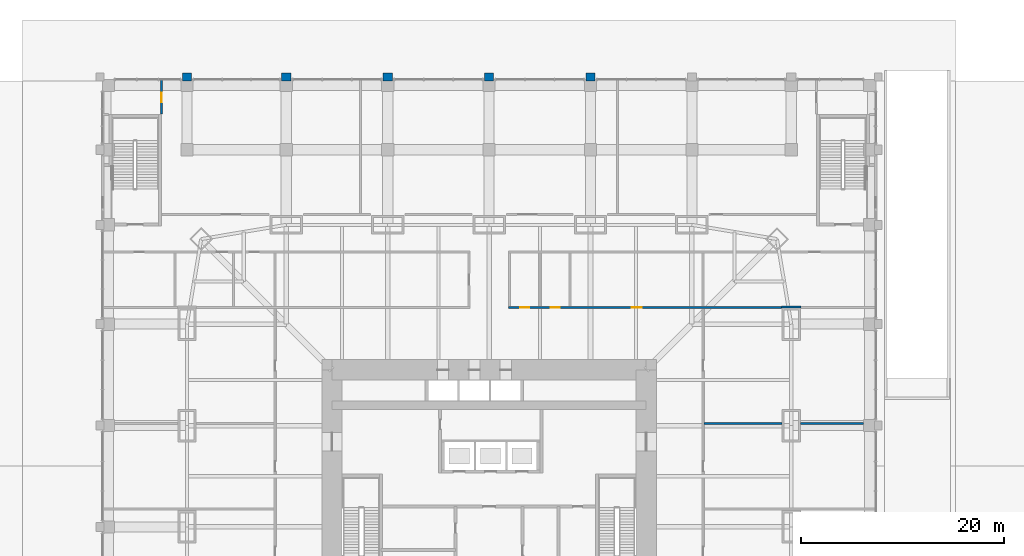
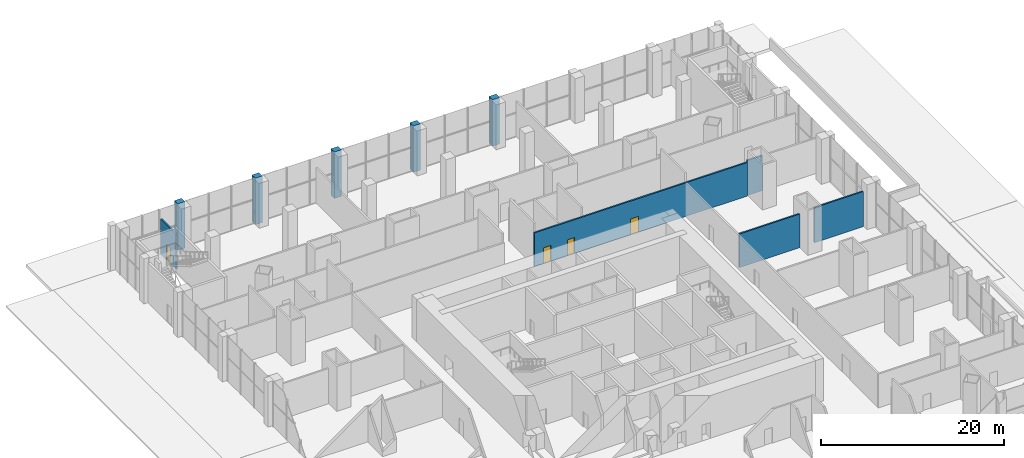
# One storey, part 26 of 31: 10 walls, 4 doors, 4 openings.
"""IFC4 building model written with IfcOpenShell, lengths in metres."""

from ifc_helpers import new_model, si_unit, direction, frame, frame_2d, origin, place, context, subcontext, project, spatial, rectangle, extrude, material, layer, layer_set, type_object, element, fill, save


model = new_model("IFC4")

# Units and contexts
model_context = context("Model", 3, precision=1e-05, world=origin(), true_north=direction((0.0, 1.0)))
body_context = subcontext(model_context, "Body", "Model", "MODEL_VIEW")
ifc_project = project(units=[si_unit("LENGTHUNIT", "METRE"), si_unit("AREAUNIT", "SQUARE_METRE"), si_unit("VOLUMEUNIT", "CUBIC_METRE"), si_unit("PLANEANGLEUNIT", "RADIAN"), si_unit("MASSUNIT", "GRAM", prefix="KILO")], contexts=[model_context])

# Site, building, storey
site_placement = place(None, origin())
site = spatial("IfcSite", under=ifc_project, at=site_placement, CompositionType="ELEMENT")
building_placement = place(site_placement, origin())
building = spatial("IfcBuilding", under=site, at=building_placement, Name="Khuree Lantern Residences", CompositionType="ELEMENT")
storey_placement = place(building_placement, origin())
storey = spatial("IfcBuildingStorey", under=building, at=storey_placement, Name="L00", CompositionType="ELEMENT", Elevation=0.0)

# Walls
ifc_material_1 = material(Name="Flamed granite cladding on blockwork", Category="masonry")
ifc_layer_1 = layer(ifc_material_1, 0.75)
ifc_layer_set_1 = layer_set([ifc_layer_1], Name="PODIUM PIER PR1 900X750")
wall_type_1 = type_object("IfcWallType", Name="PODIUM PIER PR1 900X750", PredefinedType="SOLIDWALL", material=ifc_layer_set_1)
for number, where, z_axis, x_axis, name in (
    (1, (10.449951171875, 44.375, -0.199951171875), (0.0, 0.0, 1.0), (-1.0, 0.0, 0.0), "L00 NORTH FACE PIER 3"),
    (2, (0.449951171875, 44.375, -0.199951171875), (0.0, 0.0, 1.0), (-1.0, 0.0, 0.0), "L00 NORTH FACE PIER 4"),
    (3, (-9.550048828125, 44.375, -0.199951171875), (0.0, 0.0, 1.0), (-1.0, 0.0, 0.0), "L00 NORTH FACE PIER 5"),
    (4, (-19.550048828125, 44.375, -0.199951171875), (0.0, 0.0, 1.0), (-1.0, 0.0, 0.0), "L00 NORTH FACE PIER 6"),
    (5, (-29.35009765625, 44.375, -0.199951171875), (0.0, 0.0, 1.0), (-1.0, 0.0, 0.0), "L00 NORTH FACE PIER 7"),
):
    element("IfcWall", number, at=place(storey_placement, frame(where, z_axis=z_axis, x_axis=x_axis)), inside=storey, type_object=wall_type_1, Name=name, PredefinedType="SOLIDWALL", context=body_context, shape_type="SweptSolid", body=[
        extrude(rectangle(XDim=0.89990234375, YDim=0.75, at=frame_2d((0.449951171875, 0.0))), origin(), (0.0, 0.0, 1.0), 6.199951171875),
    ])
ifc_material_2 = material(Name="Dense concrete blockwork", Category="masonry")
ifc_layer_2 = layer(ifc_material_2, 0.199951171875)
ifc_layer_set_2 = layer_set([ifc_layer_2], Name="ROOM WALL RMW200")
wall_type_2 = type_object("IfcWallType", Name="ROOM WALL RMW200", PredefinedType="SOLIDWALL", material=ifc_layer_set_2)
wall_1_placement = place(storey_placement, frame((21.2109375, 10.221923828125, 0.0), z_axis=(0.0, 0.0, 1.0), x_axis=(1.0, 0.0, 0.0)))
element("IfcWall", 6, at=wall_1_placement, inside=storey, type_object=wall_type_2, Name="L00 ROOM WALL 28", PredefinedType="SOLIDWALL", context=body_context, shape_type="SweptSolid", body=[
    extrude(rectangle(XDim=7.658935546875, YDim=0.199951171875, at=frame_2d((3.82958984375, 0.0))), origin(), (0.0, 0.0, 1.0), 4.5),
])
wall_2_placement = place(storey_placement, frame((30.72998046875, 10.221923828125, 0.0), z_axis=(0.0, 0.0, 1.0), x_axis=(1.0, 0.0, 0.0)))
element("IfcWall", 7, at=wall_2_placement, inside=storey, type_object=wall_type_2, Name="L00 ROOM WALL 29", PredefinedType="SOLIDWALL", context=body_context, shape_type="SweptSolid", body=[
    extrude(rectangle(XDim=6.18994140625, YDim=0.199951171875, at=frame_2d((3.094970703125, 0.0))), origin(), (0.0, 0.0, 1.0), 4.699951171875),
])

# Wall, openings, doors
wall_3_placement = place(storey_placement, frame((1.89990234375, 21.631103515625, 0.0), z_axis=(0.0, 0.0, 1.0), x_axis=(1.0, 0.0, 0.0)))
wall_3 = element("IfcWall", 8, at=wall_3_placement, inside=storey, type_object=wall_type_2, Name="L00 ROOM WALL 32", PredefinedType="SOLIDWALL", context=body_context, shape_type="SweptSolid", body=[
    extrude(rectangle(XDim=26.9501953125, YDim=0.199951171875, at=frame_2d((13.47509765625, 0.0))), origin(), (0.0, 0.0, 1.0), 4.5),
])
opening_1_placement = place(wall_3_placement, frame((1.159912109375, 0.0, 0.0)))
opening_1 = element("IfcOpeningElement", 9, at=opening_1_placement, cuts=wall_3, Name="Opening 00-049", PredefinedType="OPENING", context=body_context, shape_type="SweptSolid", body=[
    extrude(rectangle(XDim=0.89990234375, YDim=2.10009765625, at=frame_2d((0.449951171875, 1.050048828125))), frame((0.0, 0.10986328125, 0.0), z_axis=(0.0, -1.0, 0.0), x_axis=(1.0, 0.0, 0.0)), (0.0, 0.0, 1.0), 0.219970703125),
])
opening_2_placement = place(wall_3_placement, frame((4.159912109375, 0.0, 0.0)))
opening_2 = element("IfcOpeningElement", 10, at=opening_2_placement, cuts=wall_3, Name="Opening 00-050", PredefinedType="OPENING", context=body_context, shape_type="SweptSolid", body=[
    extrude(rectangle(XDim=0.89990234375, YDim=2.10009765625, at=frame_2d((0.449951171875, 1.050048828125))), frame((0.0, 0.10986328125, 0.0), z_axis=(0.0, -1.0, 0.0), x_axis=(1.0, 0.0, 0.0)), (0.0, 0.0, 1.0), 0.219970703125),
])
opening_3_placement = place(wall_3_placement, frame((12.16552734375, 0.0, 0.0)))
opening_3 = element("IfcOpeningElement", 11, at=opening_3_placement, cuts=wall_3, Name="Opening 00-051", PredefinedType="OPENING", context=body_context, shape_type="SweptSolid", body=[
    extrude(rectangle(XDim=1.0, YDim=2.10009765625, at=frame_2d((0.5, 1.050048828125))), frame((0.0, 0.10986328125, 0.0), z_axis=(0.0, -1.0, 0.0), x_axis=(1.0, 0.0, 0.0)), (0.0, 0.0, 1.0), 0.219970703125),
])
ifc_material_3 = material(Name="Timber door leaf in hardwood frame", Category="wood")
door_type_1 = type_object("IfcDoorType", Name="DOOR 1000X2100", OperationType="SINGLE_SWING_LEFT", PredefinedType="DOOR", material=ifc_material_3)
door_1_placement = place(opening_3_placement, origin())
door_1 = element("IfcDoor", 12, at=door_1_placement, inside=storey, type_object=door_type_1, Name="Courier room door 00-051", OperationType="SINGLE_SWING_LEFT", OverallHeight=2.10009765625, OverallWidth=1.0, PredefinedType="DOOR", context=body_context, shape_type="SweptSolid", body=[
    extrude(rectangle(XDim=1.0, YDim=2.10009765625, at=frame_2d((0.5, 1.050048828125))), frame((0.0, 0.02490234375, 0.0), z_axis=(0.0, -1.0, 0.0), x_axis=(1.0, 0.0, 0.0)), (0.0, 0.0, 1.0), 0.050048828125),
])
fill(opening_3, door_1)
door_type_2 = type_object("IfcDoorType", Name="WC DOOR 900X2100", OperationType="SINGLE_SWING_LEFT", PredefinedType="DOOR", material=ifc_material_3)
door_2_placement = place(opening_1_placement, origin())
door_2 = element("IfcDoor", 13, at=door_2_placement, inside=storey, type_object=door_type_2, Name="Staff WC door 00-049", OperationType="SINGLE_SWING_LEFT", OverallHeight=2.10009765625, OverallWidth=0.89990234375, PredefinedType="DOOR", context=body_context, shape_type="SweptSolid", body=[
    extrude(rectangle(XDim=0.89990234375, YDim=2.10009765625, at=frame_2d((0.449951171875, 1.050048828125))), frame((0.0, 0.02490234375, 0.0), z_axis=(0.0, -1.0, 0.0), x_axis=(1.0, 0.0, 0.0)), (0.0, 0.0, 1.0), 0.050048828125),
])
fill(opening_1, door_2)
door_3_placement = place(opening_2_placement, origin())
door_3 = element("IfcDoor", 14, at=door_3_placement, inside=storey, type_object=door_type_2, Name="Cleaner's store door 00-050", OperationType="SINGLE_SWING_LEFT", OverallHeight=2.10009765625, OverallWidth=0.89990234375, PredefinedType="DOOR", context=body_context, shape_type="SweptSolid", body=[
    extrude(rectangle(XDim=0.89990234375, YDim=2.10009765625, at=frame_2d((0.449951171875, 1.050048828125))), frame((0.0, 0.02490234375, 0.0), z_axis=(0.0, -1.0, 0.0), x_axis=(1.0, 0.0, 0.0)), (0.0, 0.0, 1.0), 0.050048828125),
])
fill(opening_2, door_3)

# Wall
wall_4_placement = place(storey_placement, frame((28.85009765625, 21.701904296875, 0.0), z_axis=(0.0, 0.0, 1.0), x_axis=(1.0, 0.0, 0.0)))
element("IfcWall", 15, at=wall_4_placement, inside=storey, type_object=wall_type_2, Name="L00 ROOM WALL 35", PredefinedType="SOLIDWALL", context=body_context, shape_type="SweptSolid", body=[
    extrude(rectangle(XDim=1.89990234375, YDim=0.199951171875, at=frame_2d((0.949951171875, 0.0))), origin(), (0.0, 0.0, 1.0), 4.699951171875),
])

# Wall, opening, door
wall_5_placement = place(storey_placement, frame((-32.300048828125, 40.719970703125, 0.0), z_axis=(0.0, 0.0, 1.0), x_axis=(0.0, 1.0, 0.0)))
wall_5 = element("IfcWall", 16, at=wall_5_placement, inside=storey, type_object=wall_type_2, Name="L00 ROOM WALL 56", PredefinedType="SOLIDWALL", context=body_context, shape_type="SweptSolid", body=[
    extrude(rectangle(XDim=3.35498046875, YDim=0.199951171875, at=frame_2d((1.677490234375, 0.0))), origin(), (0.0, 0.0, 1.0), 4.699951171875),
])
opening_4_placement = place(wall_5_placement, frame((1.18994140625, 0.0, 0.0)))
opening_4 = element("IfcOpeningElement", 17, at=opening_4_placement, cuts=wall_5, Name="Opening 00-052", PredefinedType="OPENING", context=body_context, shape_type="SweptSolid", body=[
    extrude(rectangle(XDim=0.89990234375, YDim=2.10009765625, at=frame_2d((0.449951171875, 1.050048828125))), frame((0.0, 0.10986328125, 0.0), z_axis=(0.0, -1.0, 0.0), x_axis=(1.0, 0.0, 0.0)), (0.0, 0.0, 1.0), 0.219970703125),
])
door_4_placement = place(opening_4_placement, origin())
door_4 = element("IfcDoor", 18, at=door_4_placement, inside=storey, type_object=door_type_2, Name="Cleaner's store door 00-052", OperationType="SINGLE_SWING_LEFT", OverallHeight=2.10009765625, OverallWidth=0.89990234375, PredefinedType="DOOR", context=body_context, shape_type="SweptSolid", body=[
    extrude(rectangle(XDim=0.89990234375, YDim=2.10009765625, at=frame_2d((0.449951171875, 1.050048828125))), frame((0.0, 0.02490234375, 0.0), z_axis=(0.0, -1.0, 0.0), x_axis=(1.0, 0.0, 0.0)), (0.0, 0.0, 1.0), 0.050048828125),
])
fill(opening_4, door_4)

save(model, "model.ifc")
